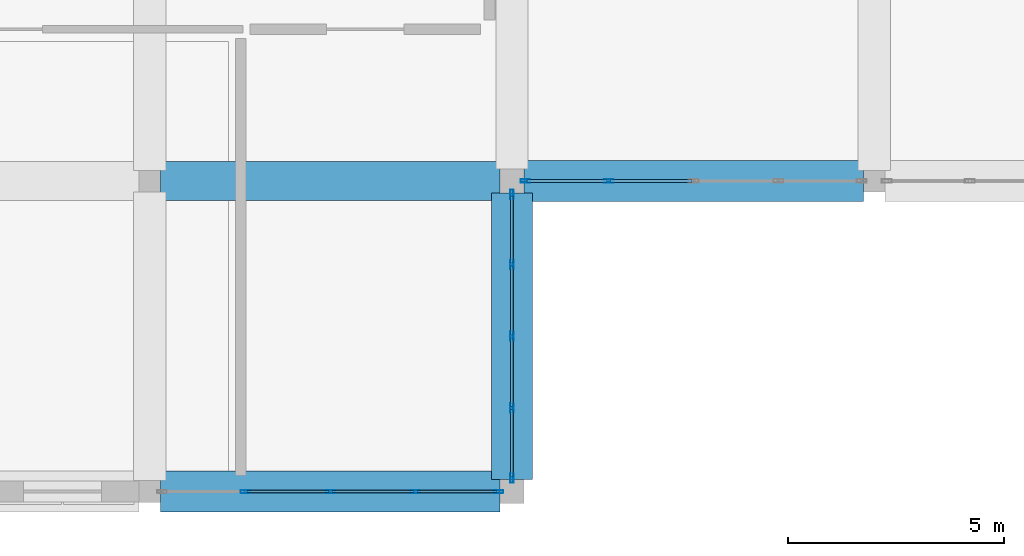
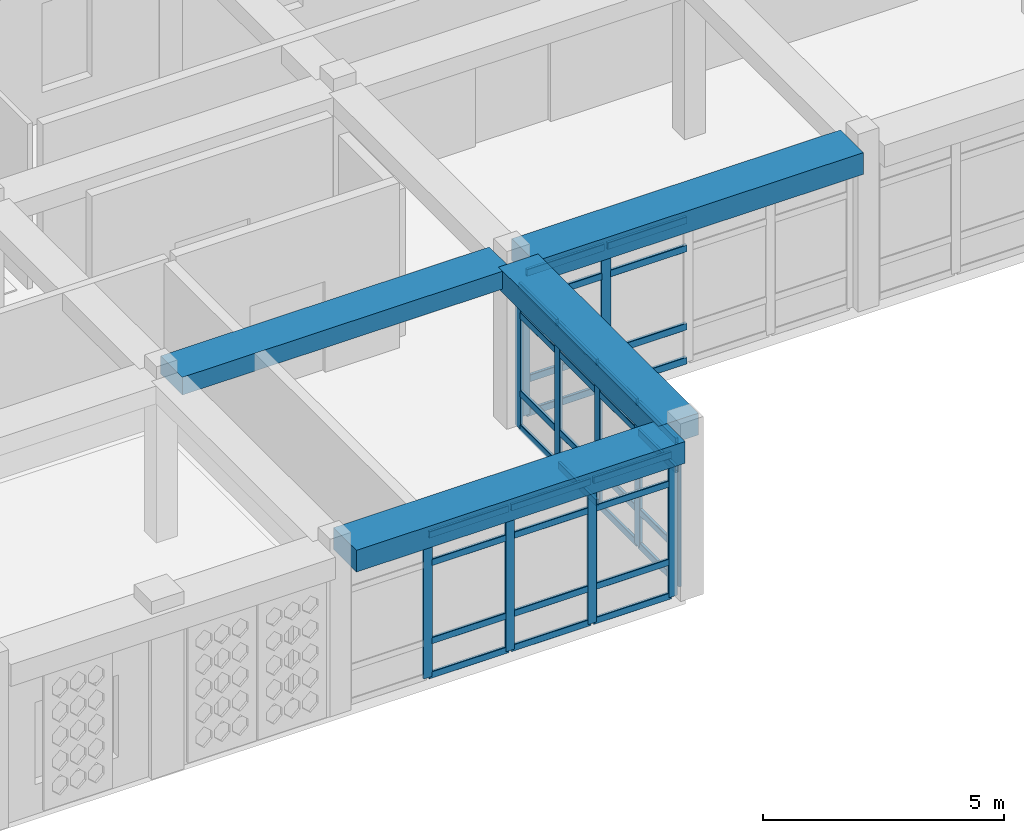
# One storey, part 55 of 121: 47 members, 4 beams, 3 elements without a shape of their own.
"""IFC4 building model written with IfcOpenShell, lengths in metres."""

import ifcopenshell
import ifcopenshell.guid

model = None  # the IFC model being written
_history = None  # IfcOwnerHistory: only IFC2X3 demands one
_inside = {}  # id of a spatial element -> (the spatial element, [elements in it])
_under = {}  # id of a project, library or spatial element -> (it, [spatial elements below it])
_declared = {}  # id of a project -> (the project, [libraries it declares])
_typed = {}  # id of a type object -> (the type object, [elements of that type])
_made_of = {}  # id of a material, layer set ... -> (it, [elements and type objects made of it])


def new_model(schema):
    """Start an empty IFC model of exactly this schema.

    Asked for "IFC4X3", IfcOpenShell would pick the latest addendum, in which some entities
    have other attributes; the version numbers below select the first issue.
    IFC2X3 requires an IfcOwnerHistory on every rooted entity: one is made here for all.
    """
    global model, _history
    if schema == "IFC4X3":
        model = ifcopenshell.file(schema_version=(4, 3, 0, 0))
    else:
        model = ifcopenshell.file(schema=schema)
    _inside.clear()
    _under.clear()
    _declared.clear()
    _typed.clear()
    _made_of.clear()
    _history = None
    if model.schema == "IFC2X3":
        org = make("IfcOrganization", Name="unknown")
        user = make(
            "IfcPersonAndOrganization",
            ThePerson=make("IfcPerson", FamilyName="unknown"),
            TheOrganization=org,
        )
        app = make(
            "IfcApplication",
            ApplicationDeveloper=org,
            Version="unknown",
            ApplicationFullName="unknown",
            ApplicationIdentifier="unknown",
        )
        _history = make(
            "IfcOwnerHistory",
            OwningUser=user,
            OwningApplication=app,
            ChangeAction="ADDED",
            CreationDate=0,
        )
    return model


def make(cls, **values):
    """One entity of the class cls with the attributes given. An attribute that is None is left unset."""
    return model.create_entity(
        cls, **{name: value for name, value in values.items() if value is not None}
    )


def rooted(cls, **values):
    """An entity with a GlobalId (a new one), such as an element, a storey or a relation."""
    return make(cls, GlobalId=ifcopenshell.guid.new(), OwnerHistory=_history, **values)


def si_unit(unit_type, name, prefix=None):
    """IfcSIUnit, for example si_unit("LENGTHUNIT", "METRE", prefix="MILLI")."""
    return make("IfcSIUnit", UnitType=unit_type, Prefix=prefix, Name=name)


def derived_unit(unit_type, elements):
    """IfcDerivedUnit: a product of units, each with its exponent."""
    return make(
        "IfcDerivedUnit",
        Elements=[
            make("IfcDerivedUnitElement", Unit=unit, Exponent=power)
            for unit, power in elements
        ],
        UnitType=unit_type,
    )


def assignment(units):
    """IfcUnitAssignment: the units of a project."""
    return None if units is None else make("IfcUnitAssignment", Units=units)


def point(xyz):
    """IfcCartesianPoint."""
    return None if xyz is None else make("IfcCartesianPoint", Coordinates=xyz)


def direction(xyz):
    """IfcDirection."""
    return None if xyz is None else make("IfcDirection", DirectionRatios=xyz)


def frame(location, z_axis=None, x_axis=None):
    """IfcAxis2Placement3D, a coordinate frame: its origin and axes. An axis left out is left unset."""
    return make(
        "IfcAxis2Placement3D",
        Location=point(location),
        Axis=direction(z_axis),
        RefDirection=direction(x_axis),
    )


def frame_2d(location, x_axis=None):
    """IfcAxis2Placement2D, a coordinate frame in the plane: its origin and x axis."""
    return make(
        "IfcAxis2Placement2D", Location=point(location), RefDirection=direction(x_axis)
    )


def origin():
    """The frame at (0, 0, 0) with its axes left unset."""
    return frame((0.0, 0.0, 0.0))


def origin_2d():
    """The frame at (0, 0) in the plane with its x axis left unset."""
    return frame_2d((0.0, 0.0))


def place(relative_to, where):
    """IfcLocalPlacement: puts the frame where relative to a parent placement (None: the world)."""
    return make(
        "IfcLocalPlacement", PlacementRelTo=relative_to, RelativePlacement=where
    )


def context(
    kind, dimensions, precision=None, world=None, true_north=None, identifier=None
):
    """IfcGeometricRepresentationContext, for example the 3D "Model" context."""
    return make(
        "IfcGeometricRepresentationContext",
        ContextIdentifier=identifier,
        ContextType=kind,
        CoordinateSpaceDimension=dimensions,
        Precision=precision,
        WorldCoordinateSystem=world,
        TrueNorth=true_north,
    )


def subcontext(parent, identifier, kind, view, scale=None):
    """IfcGeometricRepresentationSubContext, for example "Body" below "Model"."""
    return make(
        "IfcGeometricRepresentationSubContext",
        ContextIdentifier=identifier,
        ContextType=kind,
        ParentContext=parent,
        TargetScale=scale,
        TargetView=view,
    )


def project(units=None, contexts=None):
    """IfcProject with its units and contexts."""
    return rooted(
        "IfcProject",
        Name="project",
        RepresentationContexts=contexts,
        UnitsInContext=assignment(units),
    )


def spatial(cls, under=None, at=None, **own):
    """A site, building, storey or space (cls), placed at a placement, below another one or the project."""
    s = rooted(cls, ObjectPlacement=at, **own)
    if under is not None:
        _under.setdefault(under.id(), (under, []))[1].append(s)
    return s


def profile(cls, at=None, kind="AREA", **sizes):
    """A parametric profile (cls). Its sizes go by their IFC names, for example OverallWidth=200.0."""
    return make(cls, ProfileType=kind, Position=at, **sizes)


def rectangle(**sizes):
    """IfcRectangleProfileDef."""
    return profile("IfcRectangleProfileDef", **sizes)


def hollow_rectangle(**sizes):
    """IfcRectangleHollowProfileDef."""
    return profile("IfcRectangleHollowProfileDef", **sizes)


def extrude(swept, where, along, depth):
    """IfcExtrudedAreaSolid: the profile swept, set in the frame where, extruded along a direction by depth."""
    return make(
        "IfcExtrudedAreaSolid",
        SweptArea=swept,
        Position=where,
        ExtrudedDirection=direction(along),
        Depth=depth,
    )


def shape(context_of_items, identifier, shape_type, items):
    """IfcShapeRepresentation: the items that make up one representation, for example the "Body"."""
    return make(
        "IfcShapeRepresentation",
        ContextOfItems=context_of_items,
        RepresentationIdentifier=identifier,
        RepresentationType=shape_type,
        Items=items,
    )


def material(Name=None, Category=None):
    """IfcMaterial."""
    return make("IfcMaterial", Name=Name, Category=Category)


def material_profile(
    of_material, cross_section, Name=None, Category=None, Priority=None
):
    """IfcMaterialProfile: a cross section and its material."""
    return make(
        "IfcMaterialProfile",
        Name=Name,
        Material=of_material,
        Profile=cross_section,
        Priority=Priority,
        Category=Category,
    )


def profile_set(profiles, Name=None, composite=None):
    """IfcMaterialProfileSet."""
    return make(
        "IfcMaterialProfileSet",
        Name=Name,
        MaterialProfiles=profiles,
        CompositeProfile=composite,
    )


def made_of(thing, what):
    """Note that an element or type object is made of a material, layer set ...; save() writes the relation."""
    if what is not None:
        _made_of.setdefault(what.id(), (what, []))[1].append(thing)
    return thing


def type_object(cls, material=None, **own):
    """A type object (cls), such as IfcWallType, which elements share."""
    return made_of(rooted(cls, **own), material)


def element(
    cls,
    number,
    at=None,
    inside=None,
    cuts=None,
    type_object=None,
    material=None,
    context=None,
    identifier="Body",
    shape_type=None,
    held_by="IfcProductDefinitionShape",
    body=None,
    shapes=None,
    **own,
):
    """One element of the class cls, such as IfcWall. Its Tag is "e" and its number.

    at: its placement. inside: the storey or other place that contains it. cuts: it is an
    opening in that element (IfcRelVoidsElement). A single representation is given by context,
    identifier, shape_type and body (its items); several are given by shapes. held_by: the class
    of the entity that holds the representations. save() writes the other relations.
    """
    e = rooted(cls, Tag="e%d" % number, ObjectPlacement=at, **own)
    if body is not None:
        shapes = [shape(context, identifier, shape_type, body)]
    if shapes is not None:
        e.Representation = make(held_by, Representations=shapes)
    if inside is not None:
        _inside.setdefault(inside.id(), (inside, []))[1].append(e)
    if cuts is not None:
        rooted(
            "IfcRelVoidsElement", RelatingBuildingElement=cuts, RelatedOpeningElement=e
        )
    if type_object is not None:
        _typed.setdefault(type_object.id(), (type_object, []))[1].append(e)
    return made_of(e, material)


def aggregate(whole, parts):
    """IfcRelAggregates: a whole, such as a stair, and the parts it consists of."""
    return rooted("IfcRelAggregates", RelatingObject=whole, RelatedObjects=parts)


def save(model, path):
    """Write the relations noted so far, then the file.

    IfcRelAggregates (storeys below a building ...), IfcRelContainedInSpatialStructure (elements
    in a storey), IfcRelDefinesByType, IfcRelAssociatesMaterial and IfcRelDeclares: one each for
    every whole, place, type object, material and project.
    """
    for whole, parts in _under.values():
        aggregate(whole, parts)
    for where, things in _inside.values():
        rooted(
            "IfcRelContainedInSpatialStructure",
            RelatedElements=things,
            RelatingStructure=where,
        )
    for kind, things in _typed.values():
        rooted("IfcRelDefinesByType", RelatedObjects=things, RelatingType=kind)
    for what, things in _made_of.values():
        rooted("IfcRelAssociatesMaterial", RelatedObjects=things, RelatingMaterial=what)
    for by, libraries in _declared.values():
        rooted("IfcRelDeclares", RelatingContext=by, RelatedDefinitions=libraries)
    model.write(path)


model = new_model("IFC4")

# Units and contexts
model_context = context("Model", 3, precision=1e-05, world=origin(), true_north=direction((0.0, 1.0)))
body_context = subcontext(model_context, "Body", "Model", "MODEL_VIEW")
ifc_project = project(units=[si_unit("LENGTHUNIT", "METRE"), si_unit("AREAUNIT", "SQUARE_METRE"), si_unit("VOLUMEUNIT", "CUBIC_METRE"), si_unit("PLANEANGLEUNIT", "RADIAN"), si_unit("MASSUNIT", "GRAM", prefix="KILO"), derived_unit("THERMALTRANSMITTANCEUNIT", [(si_unit("POWERUNIT", "WATT"), 1), (si_unit("LENGTHUNIT", "METRE"), -2), (si_unit("THERMODYNAMICTEMPERATUREUNIT", "KELVIN"), -1)])], contexts=[model_context])

# Site, building, storey
site_placement = place(None, origin())
site = spatial("IfcSite", under=ifc_project, at=site_placement, CompositionType="ELEMENT")
building_placement = place(site_placement, origin())
building = spatial("IfcBuilding", under=site, at=building_placement, Name="Veybourne Emporium", CompositionType="ELEMENT")
storey_placement = place(building_placement, frame((0.0, 0.0, 5.39990234375)))
storey = spatial("IfcBuildingStorey", under=building, at=storey_placement, Name="L01", CompositionType="ELEMENT", Elevation=5.39990234375)

# Curtain wall, members
ifc_material_1 = material(Name="Patinated Architectural Bronze", Category="bronze")
curtain_wall_type_1 = type_object("IfcCurtainWallType", Name="CWSystem_CWS-01", PredefinedType="NOTDEFINED", material=ifc_material_1)
curtain_wall_1_placement = place(storey_placement, origin())
curtain_wall_1 = element("IfcCurtainWall", 1, at=curtain_wall_1_placement, inside=storey, type_object=curtain_wall_type_1, Name="L01 bronze glazed curtain wall CWS-01 (073)", PredefinedType="NOTDEFINED")
ifc_material_profile_1 = material_profile(ifc_material_1, hollow_rectangle(XDim=0.072021484375, YDim=0.22509765625, WallThickness=0.0048828125, InnerFilletRadius=0.007568359375, OuterFilletRadius=0.012451171875, at=origin_2d()), Name="CWM 72x225x5")
ifc_profile_set_1 = profile_set([ifc_material_profile_1], Name="Patinated Architectural Bronze")
member_type_1 = type_object("IfcMemberType", Name="CWMullion_CW-M1", PredefinedType="MULLION", material=ifc_profile_set_1)
member_1_placement = place(storey_placement, frame((151.199951171875, 6.888916015625, 0.0), z_axis=(0.0, 0.0, 1.0), x_axis=(1.0, 0.0, 0.0)))
member_1 = element("IfcMember", 2, at=member_1_placement, type_object=member_type_1, Name="CWS-01 mullion 1", PredefinedType="MULLION", context=body_context, shape_type="SweptSolid", body=[
    extrude(hollow_rectangle(XDim=0.072021484375, YDim=0.22509765625, WallThickness=0.0048828125, InnerFilletRadius=0.007568359375, OuterFilletRadius=0.012451171875, at=origin_2d()), origin(), (0.0, 0.0, 1.0), 3.630126953125),
])
member_2_placement = place(storey_placement, frame((151.199951171875, 5.262451171875, 0.0), z_axis=(0.0, 0.0, 1.0), x_axis=(1.0, 0.0, 0.0)))
member_2 = element("IfcMember", 3, at=member_2_placement, type_object=member_type_1, Name="CWS-01 mullion 2", PredefinedType="MULLION", context=body_context, shape_type="SweptSolid", body=[
    extrude(hollow_rectangle(XDim=0.072021484375, YDim=0.22509765625, WallThickness=0.0048828125, InnerFilletRadius=0.007568359375, OuterFilletRadius=0.012451171875, at=origin_2d()), origin(), (0.0, 0.0, 1.0), 3.630126953125),
])
member_3_placement = place(storey_placement, frame((151.199951171875, 3.60009765625, 0.0), z_axis=(0.0, 0.0, 1.0), x_axis=(1.0, 0.0, 0.0)))
member_3 = element("IfcMember", 4, at=member_3_placement, type_object=member_type_1, Name="CWS-01 mullion 3", PredefinedType="MULLION", context=body_context, shape_type="SweptSolid", body=[
    extrude(hollow_rectangle(XDim=0.072021484375, YDim=0.22509765625, WallThickness=0.0048828125, InnerFilletRadius=0.007568359375, OuterFilletRadius=0.012451171875, at=origin_2d()), origin(), (0.0, 0.0, 1.0), 3.630126953125),
])
member_4_placement = place(storey_placement, frame((151.199951171875, 1.9375, 0.0), z_axis=(0.0, 0.0, 1.0), x_axis=(1.0, 0.0, 0.0)))
member_4 = element("IfcMember", 5, at=member_4_placement, type_object=member_type_1, Name="CWS-01 mullion 4", PredefinedType="MULLION", context=body_context, shape_type="SweptSolid", body=[
    extrude(hollow_rectangle(XDim=0.072021484375, YDim=0.22509765625, WallThickness=0.0048828125, InnerFilletRadius=0.007568359375, OuterFilletRadius=0.012451171875, at=origin_2d()), origin(), (0.0, 0.0, 1.0), 3.630126953125),
])
member_5_placement = place(storey_placement, frame((151.199951171875, 0.31103515625, 0.0), z_axis=(0.0, 0.0, 1.0), x_axis=(1.0, 0.0, 0.0)))
member_5 = element("IfcMember", 6, at=member_5_placement, type_object=member_type_1, Name="CWS-01 mullion 5", PredefinedType="MULLION", context=body_context, shape_type="SweptSolid", body=[
    extrude(hollow_rectangle(XDim=0.072021484375, YDim=0.22509765625, WallThickness=0.0048828125, InnerFilletRadius=0.007568359375, OuterFilletRadius=0.012451171875, at=origin_2d()), origin(), (0.0, 0.0, 1.0), 3.630126953125),
])

curtain_wall_type_2 = type_object("IfcCurtainWallType", Name="CWSystem_CWS-02", PredefinedType="NOTDEFINED", material=ifc_material_1)
curtain_wall_2_placement = place(storey_placement, origin())
curtain_wall_2 = element("IfcCurtainWall", 7, at=curtain_wall_2_placement, inside=storey, type_object=curtain_wall_type_2, Name="L01 bronze glazed curtain wall CWS-02 (075)", PredefinedType="NOTDEFINED")
ifc_material_profile_2 = material_profile(ifc_material_1, hollow_rectangle(XDim=0.074951171875, YDim=0.22998046875, WallThickness=0.0048828125, InnerFilletRadius=0.007568359375, OuterFilletRadius=0.012451171875, at=origin_2d()), Name="CWM 75x230x5")
ifc_profile_set_2 = profile_set([ifc_material_profile_2], Name="Patinated Architectural Bronze")
member_type_2 = type_object("IfcMemberType", Name="CWMullion_CW-M2", PredefinedType="MULLION", material=ifc_profile_set_2)
member_6_placement = place(storey_placement, frame((153.44384765625, 7.199951171875, 0.0), z_axis=(0.0, 0.0, 1.0), x_axis=(0.0, -1.0, 0.0)))
member_6 = element("IfcMember", 8, at=member_6_placement, type_object=member_type_2, Name="CWS-02 mullion 4", PredefinedType="MULLION", context=body_context, shape_type="SweptSolid", body=[
    extrude(hollow_rectangle(XDim=0.074951171875, YDim=0.22998046875, WallThickness=0.0048828125, InnerFilletRadius=0.007568359375, OuterFilletRadius=0.012451171875, at=origin_2d()), origin(), (0.0, 0.0, 1.0), 3.630126953125),
])
member_7_placement = place(storey_placement, frame((151.512451171875, 7.199951171875, 0.0), z_axis=(0.0, 0.0, 1.0), x_axis=(0.0, -1.0, 0.0)))
member_7 = element("IfcMember", 9, at=member_7_placement, type_object=member_type_2, Name="CWS-02 mullion 5", PredefinedType="MULLION", context=body_context, shape_type="SweptSolid", body=[
    extrude(hollow_rectangle(XDim=0.074951171875, YDim=0.22998046875, WallThickness=0.0048828125, InnerFilletRadius=0.007568359375, OuterFilletRadius=0.012451171875, at=origin_2d()), origin(), (0.0, 0.0, 1.0), 3.630126953125),
])

curtain_wall_type_3 = type_object("IfcCurtainWallType", Name="CWSystem_CWS-28", PredefinedType="NOTDEFINED", material=ifc_material_1)
curtain_wall_3_placement = place(storey_placement, origin())
curtain_wall_3 = element("IfcCurtainWall", 10, at=curtain_wall_3_placement, inside=storey, type_object=curtain_wall_type_3, Name="L01 bronze glazed curtain wall CWS-28 (072)", PredefinedType="NOTDEFINED")
ifc_material_profile_3 = material_profile(ifc_material_1, hollow_rectangle(XDim=0.070068359375, YDim=0.219970703125, WallThickness=0.0048828125, InnerFilletRadius=0.007568359375, OuterFilletRadius=0.012451171875, at=origin_2d()), Name="CWM 70x220x5")
ifc_profile_set_3 = profile_set([ifc_material_profile_3], Name="Patinated Architectural Bronze")
member_type_3 = type_object("IfcMemberType", Name="CWMullion_CW-M4", PredefinedType="MULLION", material=ifc_profile_set_3)
member_8_placement = place(storey_placement, frame((150.889892578125, 0.0, 0.0), z_axis=(0.0, 0.0, 1.0), x_axis=(0.0, -1.0, 0.0)))
member_8 = element("IfcMember", 11, at=member_8_placement, type_object=member_type_3, Name="CWS-28 mullion 1", PredefinedType="MULLION", context=body_context, shape_type="SweptSolid", body=[
    extrude(hollow_rectangle(XDim=0.070068359375, YDim=0.219970703125, WallThickness=0.0048828125, InnerFilletRadius=0.007568359375, OuterFilletRadius=0.012451171875, at=origin_2d()), origin(), (0.0, 0.0, 1.0), 3.630126953125),
])
member_9_placement = place(storey_placement, frame((148.956298828125, 0.0, 0.0), z_axis=(0.0, 0.0, 1.0), x_axis=(0.0, -1.0, 0.0)))
member_9 = element("IfcMember", 12, at=member_9_placement, type_object=member_type_3, Name="CWS-28 mullion 2", PredefinedType="MULLION", context=body_context, shape_type="SweptSolid", body=[
    extrude(hollow_rectangle(XDim=0.070068359375, YDim=0.219970703125, WallThickness=0.0048828125, InnerFilletRadius=0.007568359375, OuterFilletRadius=0.012451171875, at=origin_2d()), origin(), (0.0, 0.0, 1.0), 3.630126953125),
])
member_10_placement = place(storey_placement, frame((146.987548828125, 0.0, 0.0), z_axis=(0.0, 0.0, 1.0), x_axis=(0.0, -1.0, 0.0)))
member_10 = element("IfcMember", 13, at=member_10_placement, type_object=member_type_3, Name="CWS-28 mullion 3", PredefinedType="MULLION", context=body_context, shape_type="SweptSolid", body=[
    extrude(hollow_rectangle(XDim=0.070068359375, YDim=0.219970703125, WallThickness=0.0048828125, InnerFilletRadius=0.007568359375, OuterFilletRadius=0.012451171875, at=origin_2d()), origin(), (0.0, 0.0, 1.0), 3.630126953125),
])
member_11_placement = place(storey_placement, frame((145.018798828125, 0.0, 0.0), z_axis=(0.0, 0.0, 1.0), x_axis=(0.0, -1.0, 0.0)))
member_11 = element("IfcMember", 14, at=member_11_placement, type_object=member_type_3, Name="CWS-28 mullion 4", PredefinedType="MULLION", context=body_context, shape_type="SweptSolid", body=[
    extrude(hollow_rectangle(XDim=0.070068359375, YDim=0.219970703125, WallThickness=0.0048828125, InnerFilletRadius=0.007568359375, OuterFilletRadius=0.012451171875, at=origin_2d()), origin(), (0.0, 0.0, 1.0), 3.630126953125),
])

# Member
ifc_material_profile_4 = material_profile(ifc_material_1, hollow_rectangle(XDim=0.072021484375, YDim=0.175048828125, WallThickness=0.0048828125, InnerFilletRadius=0.007568359375, OuterFilletRadius=0.012451171875, at=origin_2d()), Name="CWT 72x175x5")
ifc_profile_set_4 = profile_set([ifc_material_profile_4], Name="Patinated Architectural Bronze")
member_type_4 = type_object("IfcMemberType", Name="CWTransom_CW-T1", PredefinedType="NOTDEFINED", material=ifc_profile_set_4)
member_12_placement = place(storey_placement, frame((151.199951171875, 6.85302734375, 0.0361328125), z_axis=(0.0, -1.0, 0.0), x_axis=(1.0, 0.0, 0.0)))
member_12 = element("IfcMember", 15, at=member_12_placement, type_object=member_type_4, Name="CWS-01 transom 1.1", ObjectType="TRANSOM", PredefinedType="USERDEFINED", context=body_context, shape_type="SweptSolid", body=[
    extrude(hollow_rectangle(XDim=0.072021484375, YDim=0.175048828125, WallThickness=0.0048828125, InnerFilletRadius=0.007568359375, OuterFilletRadius=0.012451171875, at=origin_2d()), origin(), (0.0, 0.0, 1.0), 1.554443359375),
])

member_13_placement = place(storey_placement, frame((151.199951171875, 6.85302734375, 0.900146484375), z_axis=(0.0, -1.0, 0.0), x_axis=(1.0, 0.0, 0.0)))
member_13 = element("IfcMember", 16, at=member_13_placement, type_object=member_type_4, Name="CWS-01 transom 1.2", ObjectType="TRANSOM", PredefinedType="USERDEFINED", context=body_context, shape_type="SweptSolid", body=[
    extrude(hollow_rectangle(XDim=0.072021484375, YDim=0.175048828125, WallThickness=0.0048828125, InnerFilletRadius=0.007568359375, OuterFilletRadius=0.012451171875, at=origin_2d()), origin(), (0.0, 0.0, 1.0), 1.554443359375),
])

member_14_placement = place(storey_placement, frame((151.199951171875, 6.85302734375, 2.880126953125), z_axis=(0.0, -1.0, 0.0), x_axis=(1.0, 0.0, 0.0)))
member_14 = element("IfcMember", 17, at=member_14_placement, type_object=member_type_4, Name="CWS-01 transom 1.3", ObjectType="TRANSOM", PredefinedType="USERDEFINED", context=body_context, shape_type="SweptSolid", body=[
    extrude(hollow_rectangle(XDim=0.072021484375, YDim=0.175048828125, WallThickness=0.0048828125, InnerFilletRadius=0.007568359375, OuterFilletRadius=0.012451171875, at=origin_2d()), origin(), (0.0, 0.0, 1.0), 1.554443359375),
])

member_15_placement = place(storey_placement, frame((151.199951171875, 6.85302734375, 3.593994140625), z_axis=(0.0, -1.0, 0.0), x_axis=(1.0, 0.0, 0.0)))
member_15 = element("IfcMember", 18, at=member_15_placement, type_object=member_type_4, Name="CWS-01 transom 1.4", ObjectType="TRANSOM", PredefinedType="USERDEFINED", context=body_context, shape_type="SweptSolid", body=[
    extrude(hollow_rectangle(XDim=0.072021484375, YDim=0.175048828125, WallThickness=0.0048828125, InnerFilletRadius=0.007568359375, OuterFilletRadius=0.012451171875, at=origin_2d()), origin(), (0.0, 0.0, 1.0), 1.554443359375),
])

member_16_placement = place(storey_placement, frame((151.199951171875, 5.2265625, 0.0361328125), z_axis=(0.0, -1.0, 0.0), x_axis=(1.0, 0.0, 0.0)))
member_16 = element("IfcMember", 19, at=member_16_placement, type_object=member_type_4, Name="CWS-01 transom 2.1", ObjectType="TRANSOM", PredefinedType="USERDEFINED", context=body_context, shape_type="SweptSolid", body=[
    extrude(hollow_rectangle(XDim=0.072021484375, YDim=0.175048828125, WallThickness=0.0048828125, InnerFilletRadius=0.007568359375, OuterFilletRadius=0.012451171875, at=origin_2d()), origin(), (0.0, 0.0, 1.0), 1.590576171875),
])

member_17_placement = place(storey_placement, frame((151.199951171875, 5.2265625, 0.900146484375), z_axis=(0.0, -1.0, 0.0), x_axis=(1.0, 0.0, 0.0)))
member_17 = element("IfcMember", 20, at=member_17_placement, type_object=member_type_4, Name="CWS-01 transom 2.2", ObjectType="TRANSOM", PredefinedType="USERDEFINED", context=body_context, shape_type="SweptSolid", body=[
    extrude(hollow_rectangle(XDim=0.072021484375, YDim=0.175048828125, WallThickness=0.0048828125, InnerFilletRadius=0.007568359375, OuterFilletRadius=0.012451171875, at=origin_2d()), origin(), (0.0, 0.0, 1.0), 1.590576171875),
])

member_18_placement = place(storey_placement, frame((151.199951171875, 5.2265625, 2.880126953125), z_axis=(0.0, -1.0, 0.0), x_axis=(1.0, 0.0, 0.0)))
member_18 = element("IfcMember", 21, at=member_18_placement, type_object=member_type_4, Name="CWS-01 transom 2.3", ObjectType="TRANSOM", PredefinedType="USERDEFINED", context=body_context, shape_type="SweptSolid", body=[
    extrude(hollow_rectangle(XDim=0.072021484375, YDim=0.175048828125, WallThickness=0.0048828125, InnerFilletRadius=0.007568359375, OuterFilletRadius=0.012451171875, at=origin_2d()), origin(), (0.0, 0.0, 1.0), 1.590576171875),
])

member_19_placement = place(storey_placement, frame((151.199951171875, 5.2265625, 3.593994140625), z_axis=(0.0, -1.0, 0.0), x_axis=(1.0, 0.0, 0.0)))
member_19 = element("IfcMember", 22, at=member_19_placement, type_object=member_type_4, Name="CWS-01 transom 2.4", ObjectType="TRANSOM", PredefinedType="USERDEFINED", context=body_context, shape_type="SweptSolid", body=[
    extrude(hollow_rectangle(XDim=0.072021484375, YDim=0.175048828125, WallThickness=0.0048828125, InnerFilletRadius=0.007568359375, OuterFilletRadius=0.012451171875, at=origin_2d()), origin(), (0.0, 0.0, 1.0), 1.590576171875),
])

member_20_placement = place(storey_placement, frame((151.199951171875, 3.56396484375, 0.0361328125), z_axis=(0.0, -1.0, 0.0), x_axis=(1.0, 0.0, 0.0)))
member_20 = element("IfcMember", 23, at=member_20_placement, type_object=member_type_4, Name="CWS-01 transom 3.1", ObjectType="TRANSOM", PredefinedType="USERDEFINED", context=body_context, shape_type="SweptSolid", body=[
    extrude(hollow_rectangle(XDim=0.072021484375, YDim=0.175048828125, WallThickness=0.0048828125, InnerFilletRadius=0.007568359375, OuterFilletRadius=0.012451171875, at=origin_2d()), origin(), (0.0, 0.0, 1.0), 1.590576171875),
])

member_21_placement = place(storey_placement, frame((151.199951171875, 3.56396484375, 0.900146484375), z_axis=(0.0, -1.0, 0.0), x_axis=(1.0, 0.0, 0.0)))
member_21 = element("IfcMember", 24, at=member_21_placement, type_object=member_type_4, Name="CWS-01 transom 3.2", ObjectType="TRANSOM", PredefinedType="USERDEFINED", context=body_context, shape_type="SweptSolid", body=[
    extrude(hollow_rectangle(XDim=0.072021484375, YDim=0.175048828125, WallThickness=0.0048828125, InnerFilletRadius=0.007568359375, OuterFilletRadius=0.012451171875, at=origin_2d()), origin(), (0.0, 0.0, 1.0), 1.590576171875),
])

member_22_placement = place(storey_placement, frame((151.199951171875, 3.56396484375, 2.880126953125), z_axis=(0.0, -1.0, 0.0), x_axis=(1.0, 0.0, 0.0)))
member_22 = element("IfcMember", 25, at=member_22_placement, type_object=member_type_4, Name="CWS-01 transom 3.3", ObjectType="TRANSOM", PredefinedType="USERDEFINED", context=body_context, shape_type="SweptSolid", body=[
    extrude(hollow_rectangle(XDim=0.072021484375, YDim=0.175048828125, WallThickness=0.0048828125, InnerFilletRadius=0.007568359375, OuterFilletRadius=0.012451171875, at=origin_2d()), origin(), (0.0, 0.0, 1.0), 1.590576171875),
])

member_23_placement = place(storey_placement, frame((151.199951171875, 3.56396484375, 3.593994140625), z_axis=(0.0, -1.0, 0.0), x_axis=(1.0, 0.0, 0.0)))
member_23 = element("IfcMember", 26, at=member_23_placement, type_object=member_type_4, Name="CWS-01 transom 3.4", ObjectType="TRANSOM", PredefinedType="USERDEFINED", context=body_context, shape_type="SweptSolid", body=[
    extrude(hollow_rectangle(XDim=0.072021484375, YDim=0.175048828125, WallThickness=0.0048828125, InnerFilletRadius=0.007568359375, OuterFilletRadius=0.012451171875, at=origin_2d()), origin(), (0.0, 0.0, 1.0), 1.590576171875),
])

member_24_placement = place(storey_placement, frame((151.199951171875, 1.901611328125, 0.0361328125), z_axis=(0.0, -1.0, 0.0), x_axis=(1.0, 0.0, 0.0)))
member_24 = element("IfcMember", 27, at=member_24_placement, type_object=member_type_4, Name="CWS-01 transom 4.1", ObjectType="TRANSOM", PredefinedType="USERDEFINED", context=body_context, shape_type="SweptSolid", body=[
    extrude(hollow_rectangle(XDim=0.072021484375, YDim=0.175048828125, WallThickness=0.0048828125, InnerFilletRadius=0.007568359375, OuterFilletRadius=0.012451171875, at=origin_2d()), origin(), (0.0, 0.0, 1.0), 1.5546875),
])

member_25_placement = place(storey_placement, frame((151.199951171875, 1.901611328125, 0.900146484375), z_axis=(0.0, -1.0, 0.0), x_axis=(1.0, 0.0, 0.0)))
member_25 = element("IfcMember", 28, at=member_25_placement, type_object=member_type_4, Name="CWS-01 transom 4.2", ObjectType="TRANSOM", PredefinedType="USERDEFINED", context=body_context, shape_type="SweptSolid", body=[
    extrude(hollow_rectangle(XDim=0.072021484375, YDim=0.175048828125, WallThickness=0.0048828125, InnerFilletRadius=0.007568359375, OuterFilletRadius=0.012451171875, at=origin_2d()), origin(), (0.0, 0.0, 1.0), 1.5546875),
])

member_26_placement = place(storey_placement, frame((151.199951171875, 1.901611328125, 2.880126953125), z_axis=(0.0, -1.0, 0.0), x_axis=(1.0, 0.0, 0.0)))
member_26 = element("IfcMember", 29, at=member_26_placement, type_object=member_type_4, Name="CWS-01 transom 4.3", ObjectType="TRANSOM", PredefinedType="USERDEFINED", context=body_context, shape_type="SweptSolid", body=[
    extrude(hollow_rectangle(XDim=0.072021484375, YDim=0.175048828125, WallThickness=0.0048828125, InnerFilletRadius=0.007568359375, OuterFilletRadius=0.012451171875, at=origin_2d()), origin(), (0.0, 0.0, 1.0), 1.5546875),
])

member_27_placement = place(storey_placement, frame((151.199951171875, 1.901611328125, 3.593994140625), z_axis=(0.0, -1.0, 0.0), x_axis=(1.0, 0.0, 0.0)))
member_27 = element("IfcMember", 30, at=member_27_placement, type_object=member_type_4, Name="CWS-01 transom 4.4", ObjectType="TRANSOM", PredefinedType="USERDEFINED", context=body_context, shape_type="SweptSolid", body=[
    extrude(hollow_rectangle(XDim=0.072021484375, YDim=0.175048828125, WallThickness=0.0048828125, InnerFilletRadius=0.007568359375, OuterFilletRadius=0.012451171875, at=origin_2d()), origin(), (0.0, 0.0, 1.0), 1.5546875),
])

aggregate(curtain_wall_1, [member_1, member_2, member_3, member_4, member_5, member_12, member_13, member_14, member_15, member_16, member_17, member_18, member_19, member_20, member_21, member_22, member_23, member_24, member_25, member_26, member_27])

ifc_material_profile_5 = material_profile(ifc_material_1, hollow_rectangle(XDim=0.074951171875, YDim=0.179931640625, WallThickness=0.0048828125, InnerFilletRadius=0.007568359375, OuterFilletRadius=0.012451171875, at=origin_2d()), Name="CWT 75x180x5")
ifc_profile_set_5 = profile_set([ifc_material_profile_5], Name="Patinated Architectural Bronze")
member_type_5 = type_object("IfcMemberType", Name="CWTransom_CW-T2", PredefinedType="NOTDEFINED", material=ifc_profile_set_5)
member_28_placement = place(storey_placement, frame((155.375, 7.199951171875, 0.03759765625), z_axis=(-1.0, 0.0, 0.0), x_axis=(0.0, -1.0, 0.0)))
member_28 = element("IfcMember", 31, at=member_28_placement, type_object=member_type_5, Name="CWS-02 transom 3.1", ObjectType="TRANSOM", PredefinedType="USERDEFINED", context=body_context, shape_type="SweptSolid", body=[
    extrude(hollow_rectangle(XDim=0.074951171875, YDim=0.179931640625, WallThickness=0.0048828125, InnerFilletRadius=0.007568359375, OuterFilletRadius=0.012451171875, at=origin_2d()), origin(), (0.0, 0.0, 1.0), 1.893798828125),
])

member_29_placement = place(storey_placement, frame((155.375, 7.199951171875, 0.900146484375), z_axis=(-1.0, 0.0, 0.0), x_axis=(0.0, -1.0, 0.0)))
member_29 = element("IfcMember", 32, at=member_29_placement, type_object=member_type_5, Name="CWS-02 transom 3.2", ObjectType="TRANSOM", PredefinedType="USERDEFINED", context=body_context, shape_type="SweptSolid", body=[
    extrude(hollow_rectangle(XDim=0.074951171875, YDim=0.179931640625, WallThickness=0.0048828125, InnerFilletRadius=0.007568359375, OuterFilletRadius=0.012451171875, at=origin_2d()), origin(), (0.0, 0.0, 1.0), 1.893798828125),
])

member_30_placement = place(storey_placement, frame((155.375, 7.199951171875, 2.880126953125), z_axis=(-1.0, 0.0, 0.0), x_axis=(0.0, -1.0, 0.0)))
member_30 = element("IfcMember", 33, at=member_30_placement, type_object=member_type_5, Name="CWS-02 transom 3.3", ObjectType="TRANSOM", PredefinedType="USERDEFINED", context=body_context, shape_type="SweptSolid", body=[
    extrude(hollow_rectangle(XDim=0.074951171875, YDim=0.179931640625, WallThickness=0.0048828125, InnerFilletRadius=0.007568359375, OuterFilletRadius=0.012451171875, at=origin_2d()), origin(), (0.0, 0.0, 1.0), 1.893798828125),
])

member_31_placement = place(storey_placement, frame((155.375, 7.199951171875, 3.592529296875), z_axis=(-1.0, 0.0, 0.0), x_axis=(0.0, -1.0, 0.0)))
member_31 = element("IfcMember", 34, at=member_31_placement, type_object=member_type_5, Name="CWS-02 transom 3.4", ObjectType="TRANSOM", PredefinedType="USERDEFINED", context=body_context, shape_type="SweptSolid", body=[
    extrude(hollow_rectangle(XDim=0.074951171875, YDim=0.179931640625, WallThickness=0.0048828125, InnerFilletRadius=0.007568359375, OuterFilletRadius=0.012451171875, at=origin_2d()), origin(), (0.0, 0.0, 1.0), 1.893798828125),
])

member_32_placement = place(storey_placement, frame((153.40625, 7.199951171875, 0.03759765625), z_axis=(-1.0, 0.0, 0.0), x_axis=(0.0, -1.0, 0.0)))
member_32 = element("IfcMember", 35, at=member_32_placement, type_object=member_type_5, Name="CWS-02 transom 4.1", ObjectType="TRANSOM", PredefinedType="USERDEFINED", context=body_context, shape_type="SweptSolid", body=[
    extrude(hollow_rectangle(XDim=0.074951171875, YDim=0.179931640625, WallThickness=0.0048828125, InnerFilletRadius=0.007568359375, OuterFilletRadius=0.012451171875, at=origin_2d()), origin(), (0.0, 0.0, 1.0), 1.856201171875),
])

member_33_placement = place(storey_placement, frame((153.40625, 7.199951171875, 0.900146484375), z_axis=(-1.0, 0.0, 0.0), x_axis=(0.0, -1.0, 0.0)))
member_33 = element("IfcMember", 36, at=member_33_placement, type_object=member_type_5, Name="CWS-02 transom 4.2", ObjectType="TRANSOM", PredefinedType="USERDEFINED", context=body_context, shape_type="SweptSolid", body=[
    extrude(hollow_rectangle(XDim=0.074951171875, YDim=0.179931640625, WallThickness=0.0048828125, InnerFilletRadius=0.007568359375, OuterFilletRadius=0.012451171875, at=origin_2d()), origin(), (0.0, 0.0, 1.0), 1.856201171875),
])

member_34_placement = place(storey_placement, frame((153.40625, 7.199951171875, 2.880126953125), z_axis=(-1.0, 0.0, 0.0), x_axis=(0.0, -1.0, 0.0)))
member_34 = element("IfcMember", 37, at=member_34_placement, type_object=member_type_5, Name="CWS-02 transom 4.3", ObjectType="TRANSOM", PredefinedType="USERDEFINED", context=body_context, shape_type="SweptSolid", body=[
    extrude(hollow_rectangle(XDim=0.074951171875, YDim=0.179931640625, WallThickness=0.0048828125, InnerFilletRadius=0.007568359375, OuterFilletRadius=0.012451171875, at=origin_2d()), origin(), (0.0, 0.0, 1.0), 1.856201171875),
])

member_35_placement = place(storey_placement, frame((153.40625, 7.199951171875, 3.592529296875), z_axis=(-1.0, 0.0, 0.0), x_axis=(0.0, -1.0, 0.0)))
member_35 = element("IfcMember", 38, at=member_35_placement, type_object=member_type_5, Name="CWS-02 transom 4.4", ObjectType="TRANSOM", PredefinedType="USERDEFINED", context=body_context, shape_type="SweptSolid", body=[
    extrude(hollow_rectangle(XDim=0.074951171875, YDim=0.179931640625, WallThickness=0.0048828125, InnerFilletRadius=0.007568359375, OuterFilletRadius=0.012451171875, at=origin_2d()), origin(), (0.0, 0.0, 1.0), 1.856201171875),
])

aggregate(curtain_wall_2, [member_6, member_7, member_28, member_29, member_30, member_31, member_32, member_33, member_34, member_35])

ifc_material_profile_6 = material_profile(ifc_material_1, hollow_rectangle(XDim=0.070068359375, YDim=0.169921875, WallThickness=0.0048828125, InnerFilletRadius=0.007568359375, OuterFilletRadius=0.012451171875, at=origin_2d()), Name="CWT 70x170x5")
ifc_profile_set_6 = profile_set([ifc_material_profile_6], Name="Patinated Architectural Bronze")
member_type_6 = type_object("IfcMemberType", Name="CWTransom_CW-T4", PredefinedType="NOTDEFINED", material=ifc_profile_set_6)
member_36_placement = place(storey_placement, frame((150.85498046875, 0.0, 0.03515625), z_axis=(-1.0, 0.0, 0.0), x_axis=(0.0, -1.0, 0.0)))
member_36 = element("IfcMember", 39, at=member_36_placement, type_object=member_type_6, Name="CWS-28 transom 1.1", ObjectType="TRANSOM", PredefinedType="USERDEFINED", context=body_context, shape_type="SweptSolid", body=[
    extrude(hollow_rectangle(XDim=0.070068359375, YDim=0.169921875, WallThickness=0.0048828125, InnerFilletRadius=0.007568359375, OuterFilletRadius=0.012451171875, at=origin_2d()), origin(), (0.0, 0.0, 1.0), 1.86376953125),
])

member_37_placement = place(storey_placement, frame((150.85498046875, 0.0, 0.900146484375), z_axis=(-1.0, 0.0, 0.0), x_axis=(0.0, -1.0, 0.0)))
member_37 = element("IfcMember", 40, at=member_37_placement, type_object=member_type_6, Name="CWS-28 transom 1.2", ObjectType="TRANSOM", PredefinedType="USERDEFINED", context=body_context, shape_type="SweptSolid", body=[
    extrude(hollow_rectangle(XDim=0.070068359375, YDim=0.169921875, WallThickness=0.0048828125, InnerFilletRadius=0.007568359375, OuterFilletRadius=0.012451171875, at=origin_2d()), origin(), (0.0, 0.0, 1.0), 1.86376953125),
])

member_38_placement = place(storey_placement, frame((150.85498046875, 0.0, 2.880126953125), z_axis=(-1.0, 0.0, 0.0), x_axis=(0.0, -1.0, 0.0)))
member_38 = element("IfcMember", 41, at=member_38_placement, type_object=member_type_6, Name="CWS-28 transom 1.3", ObjectType="TRANSOM", PredefinedType="USERDEFINED", context=body_context, shape_type="SweptSolid", body=[
    extrude(hollow_rectangle(XDim=0.070068359375, YDim=0.169921875, WallThickness=0.0048828125, InnerFilletRadius=0.007568359375, OuterFilletRadius=0.012451171875, at=origin_2d()), origin(), (0.0, 0.0, 1.0), 1.86376953125),
])

member_39_placement = place(storey_placement, frame((150.85498046875, 0.0, 3.59521484375), z_axis=(-1.0, 0.0, 0.0), x_axis=(0.0, -1.0, 0.0)))
member_39 = element("IfcMember", 42, at=member_39_placement, type_object=member_type_6, Name="CWS-28 transom 1.4", ObjectType="TRANSOM", PredefinedType="USERDEFINED", context=body_context, shape_type="SweptSolid", body=[
    extrude(hollow_rectangle(XDim=0.070068359375, YDim=0.169921875, WallThickness=0.0048828125, InnerFilletRadius=0.007568359375, OuterFilletRadius=0.012451171875, at=origin_2d()), origin(), (0.0, 0.0, 1.0), 1.86376953125),
])

member_40_placement = place(storey_placement, frame((148.921142578125, 0.0, 0.03515625), z_axis=(-1.0, 0.0, 0.0), x_axis=(0.0, -1.0, 0.0)))
member_40 = element("IfcMember", 43, at=member_40_placement, type_object=member_type_6, Name="CWS-28 transom 2.1", ObjectType="TRANSOM", PredefinedType="USERDEFINED", context=body_context, shape_type="SweptSolid", body=[
    extrude(hollow_rectangle(XDim=0.070068359375, YDim=0.169921875, WallThickness=0.0048828125, InnerFilletRadius=0.007568359375, OuterFilletRadius=0.012451171875, at=origin_2d()), origin(), (0.0, 0.0, 1.0), 1.898681640625),
])

member_41_placement = place(storey_placement, frame((148.921142578125, 0.0, 0.900146484375), z_axis=(-1.0, 0.0, 0.0), x_axis=(0.0, -1.0, 0.0)))
member_41 = element("IfcMember", 44, at=member_41_placement, type_object=member_type_6, Name="CWS-28 transom 2.2", ObjectType="TRANSOM", PredefinedType="USERDEFINED", context=body_context, shape_type="SweptSolid", body=[
    extrude(hollow_rectangle(XDim=0.070068359375, YDim=0.169921875, WallThickness=0.0048828125, InnerFilletRadius=0.007568359375, OuterFilletRadius=0.012451171875, at=origin_2d()), origin(), (0.0, 0.0, 1.0), 1.898681640625),
])

member_42_placement = place(storey_placement, frame((148.921142578125, 0.0, 2.880126953125), z_axis=(-1.0, 0.0, 0.0), x_axis=(0.0, -1.0, 0.0)))
member_42 = element("IfcMember", 45, at=member_42_placement, type_object=member_type_6, Name="CWS-28 transom 2.3", ObjectType="TRANSOM", PredefinedType="USERDEFINED", context=body_context, shape_type="SweptSolid", body=[
    extrude(hollow_rectangle(XDim=0.070068359375, YDim=0.169921875, WallThickness=0.0048828125, InnerFilletRadius=0.007568359375, OuterFilletRadius=0.012451171875, at=origin_2d()), origin(), (0.0, 0.0, 1.0), 1.898681640625),
])

member_43_placement = place(storey_placement, frame((148.921142578125, 0.0, 3.59521484375), z_axis=(-1.0, 0.0, 0.0), x_axis=(0.0, -1.0, 0.0)))
member_43 = element("IfcMember", 46, at=member_43_placement, type_object=member_type_6, Name="CWS-28 transom 2.4", ObjectType="TRANSOM", PredefinedType="USERDEFINED", context=body_context, shape_type="SweptSolid", body=[
    extrude(hollow_rectangle(XDim=0.070068359375, YDim=0.169921875, WallThickness=0.0048828125, InnerFilletRadius=0.007568359375, OuterFilletRadius=0.012451171875, at=origin_2d()), origin(), (0.0, 0.0, 1.0), 1.898681640625),
])

member_44_placement = place(storey_placement, frame((146.952392578125, 0.0, 0.03515625), z_axis=(-1.0, 0.0, 0.0), x_axis=(0.0, -1.0, 0.0)))
member_44 = element("IfcMember", 47, at=member_44_placement, type_object=member_type_6, Name="CWS-28 transom 3.1", ObjectType="TRANSOM", PredefinedType="USERDEFINED", context=body_context, shape_type="SweptSolid", body=[
    extrude(hollow_rectangle(XDim=0.070068359375, YDim=0.169921875, WallThickness=0.0048828125, InnerFilletRadius=0.007568359375, OuterFilletRadius=0.012451171875, at=origin_2d()), origin(), (0.0, 0.0, 1.0), 1.898681640625),
])

member_45_placement = place(storey_placement, frame((146.952392578125, 0.0, 0.900146484375), z_axis=(-1.0, 0.0, 0.0), x_axis=(0.0, -1.0, 0.0)))
member_45 = element("IfcMember", 48, at=member_45_placement, type_object=member_type_6, Name="CWS-28 transom 3.2", ObjectType="TRANSOM", PredefinedType="USERDEFINED", context=body_context, shape_type="SweptSolid", body=[
    extrude(hollow_rectangle(XDim=0.070068359375, YDim=0.169921875, WallThickness=0.0048828125, InnerFilletRadius=0.007568359375, OuterFilletRadius=0.012451171875, at=origin_2d()), origin(), (0.0, 0.0, 1.0), 1.898681640625),
])

member_46_placement = place(storey_placement, frame((146.952392578125, 0.0, 2.880126953125), z_axis=(-1.0, 0.0, 0.0), x_axis=(0.0, -1.0, 0.0)))
member_46 = element("IfcMember", 49, at=member_46_placement, type_object=member_type_6, Name="CWS-28 transom 3.3", ObjectType="TRANSOM", PredefinedType="USERDEFINED", context=body_context, shape_type="SweptSolid", body=[
    extrude(hollow_rectangle(XDim=0.070068359375, YDim=0.169921875, WallThickness=0.0048828125, InnerFilletRadius=0.007568359375, OuterFilletRadius=0.012451171875, at=origin_2d()), origin(), (0.0, 0.0, 1.0), 1.898681640625),
])

member_47_placement = place(storey_placement, frame((146.952392578125, 0.0, 3.59521484375), z_axis=(-1.0, 0.0, 0.0), x_axis=(0.0, -1.0, 0.0)))
member_47 = element("IfcMember", 50, at=member_47_placement, type_object=member_type_6, Name="CWS-28 transom 3.4", ObjectType="TRANSOM", PredefinedType="USERDEFINED", context=body_context, shape_type="SweptSolid", body=[
    extrude(hollow_rectangle(XDim=0.070068359375, YDim=0.169921875, WallThickness=0.0048828125, InnerFilletRadius=0.007568359375, OuterFilletRadius=0.012451171875, at=origin_2d()), origin(), (0.0, 0.0, 1.0), 1.898681640625),
])

aggregate(curtain_wall_3, [member_8, member_9, member_10, member_11, member_36, member_37, member_38, member_39, member_40, member_41, member_42, member_43, member_44, member_45, member_46, member_47])

# Beams
ifc_material_2 = material(Name="Concrete C32/40", Category="concrete")
ifc_material_profile_7 = material_profile(ifc_material_2, rectangle(XDim=0.89990234375, YDim=0.449951171875, at=origin_2d()), Name="RC 900x450")
ifc_profile_set_7 = profile_set([ifc_material_profile_7], Name="Concrete C32/40")
beam_type_1 = type_object("IfcBeamType", Name="RCBeam_BB-03", PredefinedType="BEAM", material=ifc_profile_set_7)
beam_1_placement = place(storey_placement, frame((143.050048828125, 7.199951171875, 3.955078125), z_axis=(1.0, 0.0, 0.0), x_axis=(0.0, 1.0, 0.0)))
element("IfcBeam", 51, at=beam_1_placement, inside=storey, type_object=beam_type_1, Name="L01 X-grid beam BB-03 (17,1)", PredefinedType="BEAM", context=body_context, shape_type="SweptSolid", body=[
    extrude(rectangle(XDim=0.89990234375, YDim=0.449951171875, at=origin_2d()), origin(), (0.0, 0.0, 1.0), 7.875),
])
ifc_material_profile_8 = material_profile(ifc_material_2, rectangle(XDim=0.949951171875, YDim=0.550048828125, at=origin_2d()), Name="RC 950x550")
ifc_profile_set_8 = profile_set([ifc_material_profile_8], Name="Concrete C32/40")
beam_type_2 = type_object("IfcBeamType", Name="RCBeam_EB-01", PredefinedType="SPANDREL", material=ifc_profile_set_8)
for number, where, z_axis, x_axis, name in (
    (52, (143.050048828125, 0.0, 3.905029296875), (1.0, 0.0, 0.0), (0.0, 1.0, 0.0), "L01 X-grid beam EB-01 (17,0)"),
    (53, (151.47509765625, 7.199951171875, 3.905029296875), (1.0, 0.0, 0.0), (0.0, 1.0, 0.0), "L01 X-grid beam EB-01 (18,1)"),
):
    element("IfcBeam", number, at=place(storey_placement, frame(where, z_axis=z_axis, x_axis=x_axis)), inside=storey, type_object=beam_type_2, Name=name, PredefinedType="SPANDREL", context=body_context, shape_type="SweptSolid", body=[
        extrude(rectangle(XDim=0.949951171875, YDim=0.550048828125, at=origin_2d()), origin(), (0.0, 0.0, 1.0), 7.875),
    ])
beam_2_placement = place(storey_placement, frame((151.199951171875, 0.27490234375, 3.905029296875), z_axis=(0.0, 1.0, 0.0), x_axis=(-1.0, 0.0, 0.0)))
element("IfcBeam", 54, at=beam_2_placement, inside=storey, type_object=beam_type_2, Name="L01 Y-grid beam EB-01 (18,0)", PredefinedType="SPANDREL", context=body_context, shape_type="SweptSolid", body=[
    extrude(rectangle(XDim=0.949951171875, YDim=0.550048828125, at=origin_2d()), origin(), (0.0, 0.0, 1.0), 6.650146484375),
])

save(model, "model.ifc")
